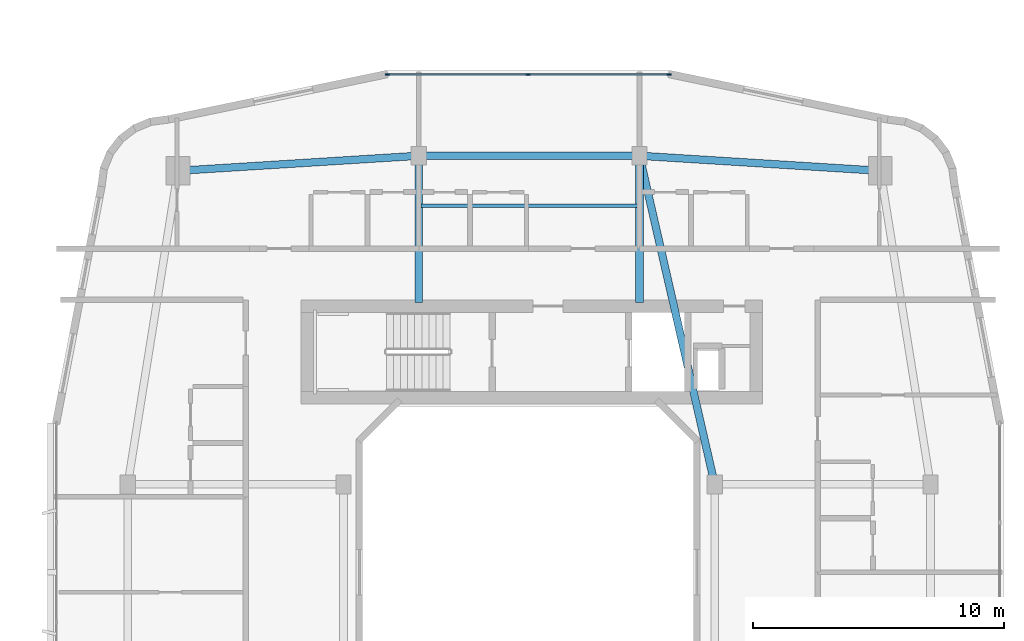
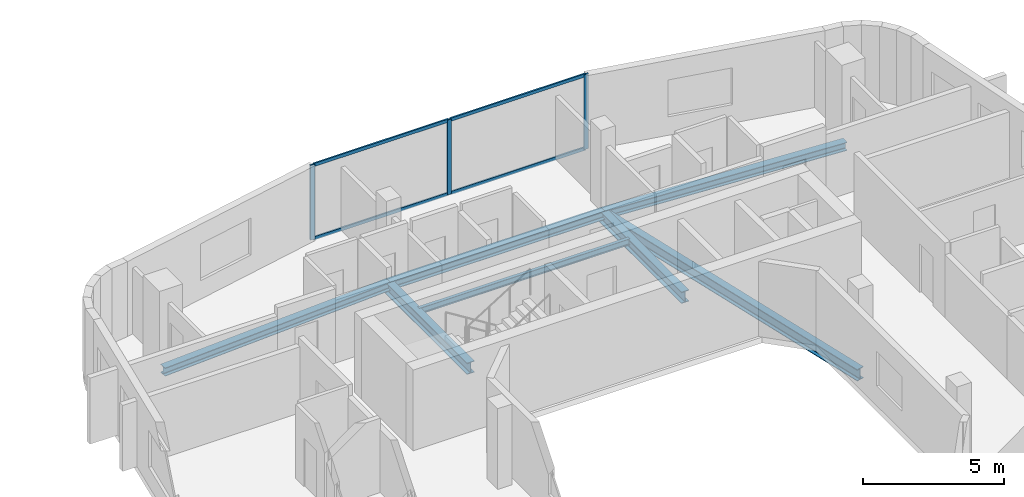
# One storey, part 11 of 27: 7 beams, 7 members, 1 element without a shape of its own.
"""IFC4 building model written with IfcOpenShell, lengths in metres."""

from ifc_helpers import new_model, si_unit, derived_unit, direction, frame, origin, origin_2d, place, context, subcontext, project, spatial, rectangle, i_section, extrude, material, layer, layer_set, material_profile, profile_set, type_object, element, aggregate, save


model = new_model("IFC4")

# Units and contexts
model_context = context("Model", 3, precision=1e-05, world=origin(), true_north=direction((0.0, 1.0)))
body_context = subcontext(model_context, "Body", "Model", "MODEL_VIEW")
ifc_project = project(units=[si_unit("LENGTHUNIT", "METRE"), si_unit("AREAUNIT", "SQUARE_METRE"), si_unit("VOLUMEUNIT", "CUBIC_METRE"), si_unit("PLANEANGLEUNIT", "RADIAN"), si_unit("MASSUNIT", "GRAM", prefix="KILO"), derived_unit("THERMALTRANSMITTANCEUNIT", [(si_unit("POWERUNIT", "WATT"), 1), (si_unit("LENGTHUNIT", "METRE"), -2), (si_unit("THERMODYNAMICTEMPERATUREUNIT", "KELVIN"), -1)])], contexts=[model_context])

# Site, building, storey
site_placement = place(None, origin())
site = spatial("IfcSite", under=ifc_project, at=site_placement, CompositionType="ELEMENT")
building_placement = place(site_placement, origin())
building = spatial("IfcBuilding", under=site, at=building_placement, Name="Kivonza Crest Hotel", CompositionType="ELEMENT")
storey_placement = place(building_placement, frame((0.0, 0.0, 73.0)))
storey = spatial("IfcBuildingStorey", under=building, at=storey_placement, Name="L19", CompositionType="ELEMENT", Elevation=73.0)

# Beams
ifc_material_1 = material(Name="Steel S355", Category="steel")
ifc_material_profile_1 = material_profile(ifc_material_1, i_section(OverallWidth=0.300048828125, OverallDepth=0.360107421875, WebThickness=0.012451171875, FlangeThickness=0.0224609375, FilletRadius=0.027099609375, at=origin_2d()), Name="HEB 360")
ifc_profile_set_1 = profile_set([ifc_material_profile_1], Name="Steel S355")
beam_type_1 = type_object("IfcBeamType", Name="BM-HEB360", PredefinedType="SPANDREL", material=ifc_profile_set_1)
beam_1_placement = place(storey_placement, frame((91.0, 41.0, -0.429931640625), z_axis=(-0.998051985873, 0.062387767186, 0.0), x_axis=(-0.062387767186, -0.998051985873, 0.0)))
element("IfcBeam", 1, at=beam_1_placement, inside=storey, type_object=beam_type_1, Name="Companion Tower T2 L19 perimeter spandrel NE-N2", PredefinedType="SPANDREL", context=body_context, shape_type="SweptSolid", body=[
    extrude(i_section(OverallWidth=0.300048828125, OverallDepth=0.360107421875, WebThickness=0.012451171875, FlangeThickness=0.0224609375, FilletRadius=0.027099609375, at=origin_2d()), origin(), (0.0, 0.0, 1.0), 9.618896484375),
])
beam_2_placement = place(storey_placement, frame((81.39990234375, 41.60009765625, -0.429931640625), z_axis=(-1.0, 0.0, 0.0), x_axis=(0.0, -1.0, 0.0)))
element("IfcBeam", 2, at=beam_2_placement, inside=storey, type_object=beam_type_1, Name="Companion Tower T2 L19 perimeter spandrel N2-N1", PredefinedType="SPANDREL", context=body_context, shape_type="SweptSolid", body=[
    extrude(i_section(OverallWidth=0.300048828125, OverallDepth=0.360107421875, WebThickness=0.012451171875, FlangeThickness=0.0224609375, FilletRadius=0.027099609375, at=origin_2d()), origin(), (0.0, 0.0, 1.0), 8.7998046875),
])
beam_3_placement = place(storey_placement, frame((72.60009765625, 41.60009765625, -0.429931640625), z_axis=(-0.998051985873, -0.062387767186, 0.0), x_axis=(0.062387767186, -0.998051985873, 0.0)))
element("IfcBeam", 3, at=beam_3_placement, inside=storey, type_object=beam_type_1, Name="Companion Tower T2 L19 perimeter spandrel N1-NW", PredefinedType="SPANDREL", context=body_context, shape_type="SweptSolid", body=[
    extrude(i_section(OverallWidth=0.300048828125, OverallDepth=0.360107421875, WebThickness=0.012451171875, FlangeThickness=0.0224609375, FilletRadius=0.027099609375, at=origin_2d()), origin(), (0.0, 0.0, 1.0), 9.618896484375),
])
ifc_material_profile_2 = material_profile(ifc_material_1, i_section(OverallWidth=0.300048828125, OverallDepth=0.5, WebThickness=0.014404296875, FlangeThickness=0.028076171875, FilletRadius=0.027099609375, at=origin_2d()), Name="HEB 500")
ifc_profile_set_2 = profile_set([ifc_material_profile_2], Name="Steel S355")
beam_type_2 = type_object("IfcBeamType", Name="BM-HEB500", PredefinedType="BEAM", material=ifc_profile_set_2)
beam_4_placement = place(storey_placement, frame((84.39990234375, 28.5, -0.5), z_axis=(-0.223227287589, 0.974766422317, 0.0), x_axis=(-0.974766422317, -0.223227287589, 0.0)))
element("IfcBeam", 4, at=beam_4_placement, inside=storey, type_object=beam_type_2, Name="Companion Tower T2 L19 girder WR2-N2", PredefinedType="BEAM", context=body_context, shape_type="SweptSolid", body=[
    extrude(i_section(OverallWidth=0.300048828125, OverallDepth=0.5, WebThickness=0.014404296875, FlangeThickness=0.028076171875, FilletRadius=0.027099609375, at=origin_2d()), origin(), (0.0, 0.0, 1.0), 13.439208984375),
])
for number, where, z_axis, x_axis, name in (
    (5, (72.60009765625, 41.60009765625, -0.5), (0.0, -1.0, 0.0), (1.0, 0.0, 0.0), "Companion T2 L19 radial core girder RN1"),
    (6, (81.39990234375, 41.60009765625, -0.5), (0.0, -1.0, 0.0), (1.0, 0.0, 0.0), "Companion T2 L19 radial core girder RN2"),
):
    element("IfcBeam", number, at=place(storey_placement, frame(where, z_axis=z_axis, x_axis=x_axis)), inside=storey, type_object=beam_type_2, Name=name, PredefinedType="BEAM", context=body_context, shape_type="SweptSolid", body=[
        extrude(i_section(OverallWidth=0.300048828125, OverallDepth=0.5, WebThickness=0.014404296875, FlangeThickness=0.028076171875, FilletRadius=0.027099609375, at=origin_2d()), origin(), (0.0, 0.0, 1.0), 5.85009765625),
    ])
ifc_material_profile_3 = material_profile(ifc_material_1, i_section(OverallWidth=0.135009765625, OverallDepth=0.27001953125, WebThickness=0.006591796875, FlangeThickness=0.01025390625, FilletRadius=0.014892578125, at=origin_2d()), Name="IPE 270")
ifc_profile_set_3 = profile_set([ifc_material_profile_3], Name="Steel S355")
beam_type_3 = type_object("IfcBeamType", Name="BM-IPE270", PredefinedType="JOIST", material=ifc_profile_set_3)
beam_5_placement = place(storey_placement, frame((72.679931640625, 39.60009765625, -0.385009765625), z_axis=(1.0, 0.0, 0.0), x_axis=(0.0, 1.0, 0.0)))
element("IfcBeam", 7, at=beam_5_placement, inside=storey, type_object=beam_type_3, Name="Companion Tower T2 L19 North floor joist", PredefinedType="JOIST", context=body_context, shape_type="SweptSolid", body=[
    extrude(i_section(OverallWidth=0.135009765625, OverallDepth=0.27001953125, WebThickness=0.006591796875, FlangeThickness=0.01025390625, FilletRadius=0.014892578125, at=origin_2d()), origin(), (0.0, 0.0, 1.0), 8.64013671875),
])

# Curtain wall, members
ifc_material_2 = material(Name="Anodised bronze aluminium and low-E double glazing", Category="aluminium")
ifc_layer = layer(ifc_material_2, 0.179931640625)
ifc_layer_set = layer_set([ifc_layer], Name="Anodised bronze aluminium and low-E double glazing")
curtain_wall_type = type_object("IfcCurtainWallType", Name="CW-SYS-4", PredefinedType="NOTDEFINED", material=ifc_layer_set)
curtain_wall_placement = place(storey_placement, origin())
curtain_wall = element("IfcCurtainWall", 8, at=curtain_wall_placement, inside=storey, type_object=curtain_wall_type, Name="L19 unitised curtain wall CW-T2-L19-26", PredefinedType="NOTDEFINED")
ifc_material_3 = material(Name="Anodised bronze aluminium", Category="aluminium")
ifc_material_profile_4 = material_profile(ifc_material_3, rectangle(XDim=0.06494140625, YDim=0.179931640625, at=origin_2d()), Name="CW-M 65x180")
ifc_profile_set_4 = profile_set([ifc_material_profile_4], Name="Anodised bronze aluminium")
member_type_1 = type_object("IfcMemberType", Name="CW-MUL-65x180", PredefinedType="MULLION", material=ifc_profile_set_4)
member_1_placement = place(storey_placement, frame((82.575439453125, 44.840087890625, 0.0), z_axis=(0.0, 0.0, 1.0), x_axis=(0.0, -1.0, 0.0)))
member_1 = element("IfcMember", 9, at=member_1_placement, type_object=member_type_1, Name="CW-4 mullion 1", PredefinedType="MULLION", context=body_context, shape_type="SweptSolid", body=[
    extrude(rectangle(XDim=0.06494140625, YDim=0.179931640625, at=origin_2d()), origin(), (0.0, 0.0, 1.0), 3.25),
])
member_2_placement = place(storey_placement, frame((76.9599609375, 44.840087890625, 0.0), z_axis=(0.0, 0.0, 1.0), x_axis=(0.0, -1.0, 0.0)))
member_2 = element("IfcMember", 10, at=member_2_placement, type_object=member_type_1, Name="CW-4 mullion 2", PredefinedType="MULLION", context=body_context, shape_type="SweptSolid", body=[
    extrude(rectangle(XDim=0.06494140625, YDim=0.179931640625, at=origin_2d()), origin(), (0.0, 0.0, 1.0), 3.25),
])
member_3_placement = place(storey_placement, frame((71.344482421875, 44.840087890625, 0.0), z_axis=(0.0, 0.0, 1.0), x_axis=(0.0, -1.0, 0.0)))
member_3 = element("IfcMember", 11, at=member_3_placement, type_object=member_type_1, Name="CW-4 mullion 3", PredefinedType="MULLION", context=body_context, shape_type="SweptSolid", body=[
    extrude(rectangle(XDim=0.06494140625, YDim=0.179931640625, at=origin_2d()), origin(), (0.0, 0.0, 1.0), 3.25),
])
ifc_material_profile_5 = material_profile(ifc_material_3, rectangle(XDim=0.06494140625, YDim=0.139892578125, at=origin_2d()), Name="CW-T 65x140")
ifc_profile_set_5 = profile_set([ifc_material_profile_5], Name="Anodised bronze aluminium")
member_type_2 = type_object("IfcMemberType", Name="CW-TRN-65x140", PredefinedType="USERDEFINED", material=ifc_profile_set_5)
member_4_placement = place(storey_placement, frame((82.54296875, 44.840087890625, 0.032470703125), z_axis=(-1.0, 0.0, 0.0), x_axis=(0.0, -1.0, 0.0)))
member_4 = element("IfcMember", 12, at=member_4_placement, type_object=member_type_2, Name="CW-4 transom 1.1", ObjectType="TRANSOM", PredefinedType="USERDEFINED", context=body_context, shape_type="SweptSolid", body=[
    extrude(rectangle(XDim=0.06494140625, YDim=0.139892578125, at=origin_2d()), origin(), (0.0, 0.0, 1.0), 5.550537109375),
])
member_5_placement = place(storey_placement, frame((82.54296875, 44.840087890625, 3.217529296875), z_axis=(-1.0, 0.0, 0.0), x_axis=(0.0, -1.0, 0.0)))
member_5 = element("IfcMember", 13, at=member_5_placement, type_object=member_type_2, Name="CW-4 transom 1.2", ObjectType="TRANSOM", PredefinedType="USERDEFINED", context=body_context, shape_type="SweptSolid", body=[
    extrude(rectangle(XDim=0.06494140625, YDim=0.139892578125, at=origin_2d()), origin(), (0.0, 0.0, 1.0), 5.550537109375),
])
member_6_placement = place(storey_placement, frame((76.927490234375, 44.840087890625, 0.032470703125), z_axis=(-1.0, 0.0, 0.0), x_axis=(0.0, -1.0, 0.0)))
member_6 = element("IfcMember", 14, at=member_6_placement, type_object=member_type_2, Name="CW-4 transom 2.1", ObjectType="TRANSOM", PredefinedType="USERDEFINED", context=body_context, shape_type="SweptSolid", body=[
    extrude(rectangle(XDim=0.06494140625, YDim=0.139892578125, at=origin_2d()), origin(), (0.0, 0.0, 1.0), 5.550537109375),
])
member_7_placement = place(storey_placement, frame((76.927490234375, 44.840087890625, 3.217529296875), z_axis=(-1.0, 0.0, 0.0), x_axis=(0.0, -1.0, 0.0)))
member_7 = element("IfcMember", 15, at=member_7_placement, type_object=member_type_2, Name="CW-4 transom 2.2", ObjectType="TRANSOM", PredefinedType="USERDEFINED", context=body_context, shape_type="SweptSolid", body=[
    extrude(rectangle(XDim=0.06494140625, YDim=0.139892578125, at=origin_2d()), origin(), (0.0, 0.0, 1.0), 5.550537109375),
])
aggregate(curtain_wall, [member_1, member_2, member_3, member_4, member_5, member_6, member_7])

save(model, "model.ifc")
